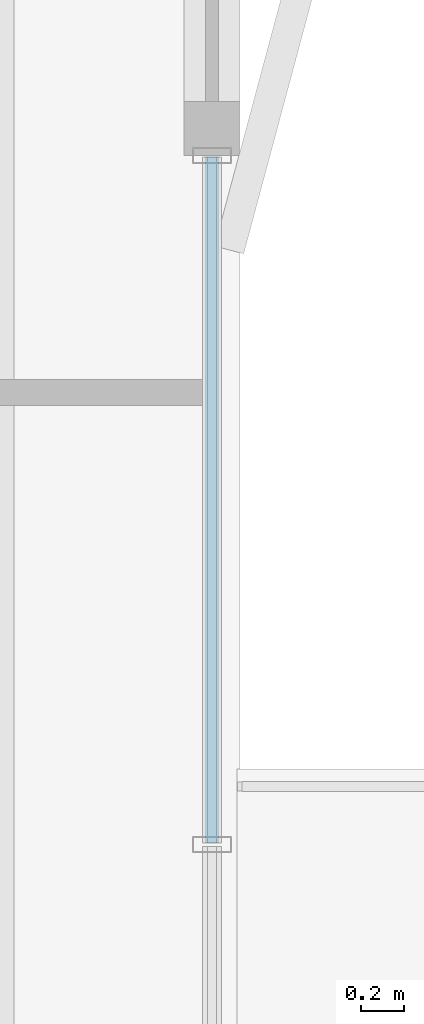
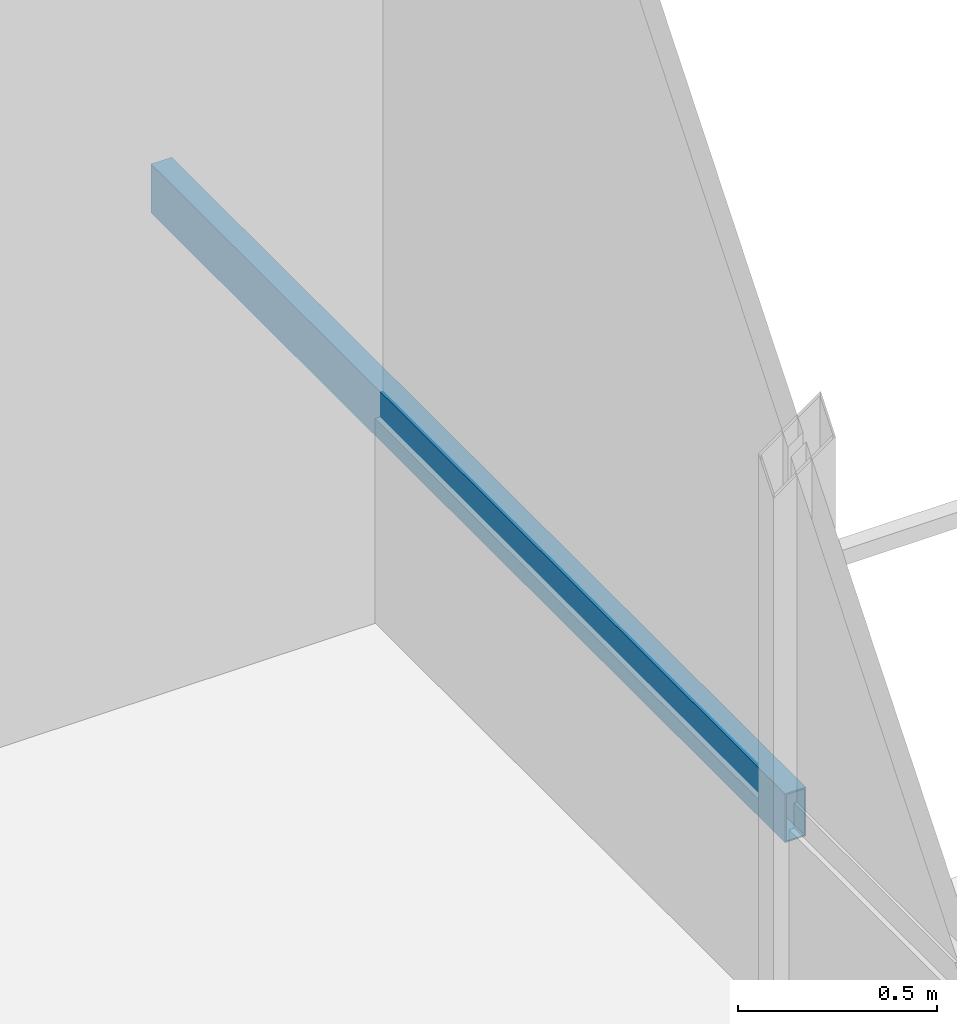
# One storey, part 11 of 25: 1 member, 1 element without a shape of its own.
"""IFC4 building model written with IfcOpenShell, lengths in metres."""

from ifc_helpers import new_model, si_unit, direction, frame, origin, origin_2d, place, context, subcontext, project, spatial, hollow_rectangle, extrude, material, layer, layer_set, material_profile, profile_set, type_object, element, aggregate, save


model = new_model("IFC4")

# Units and contexts
model_context = context("Model", 3, precision=1e-05, world=origin(), true_north=direction((0.0, 1.0)))
body_context = subcontext(model_context, "Body", "Model", "MODEL_VIEW")
ifc_project = project(units=[si_unit("LENGTHUNIT", "METRE"), si_unit("AREAUNIT", "SQUARE_METRE"), si_unit("VOLUMEUNIT", "CUBIC_METRE"), si_unit("PLANEANGLEUNIT", "RADIAN"), si_unit("MASSUNIT", "GRAM", prefix="KILO")], contexts=[model_context])

# Site, building, storey
site_placement = place(None, origin())
site = spatial("IfcSite", under=ifc_project, at=site_placement, CompositionType="ELEMENT")
building_placement = place(site_placement, origin())
building = spatial("IfcBuilding", under=site, at=building_placement, Name="Belovzor Exchange Tower", CompositionType="ELEMENT")
storey_placement = place(building_placement, frame((0.0, 0.0, 149.550048828125)))
storey = spatial("IfcBuildingStorey", under=building, at=storey_placement, Name="L36", CompositionType="ELEMENT", Elevation=149.550048828125)

# Curtain wall, member
ifc_material_1 = material(Name="Anodised Aluminium Framing", Category="aluminium")
ifc_layer = layer(ifc_material_1, 0.179931640625)
ifc_layer_set = layer_set([ifc_layer], Name="Anodised Aluminium Framing")
curtain_wall_type = type_object("IfcCurtainWallType", Name="Recessed Loggia Low-Iron Triple-Glazed Curtain Wall", PredefinedType="NOTDEFINED", material=ifc_layer_set)
curtain_wall_placement = place(storey_placement, origin())
curtain_wall = element("IfcCurtainWall", 1, at=curtain_wall_placement, inside=storey, type_object=curtain_wall_type, Name="CW3 Recessed Loggia Low-Iron Triple-Glazed Curtain Wall L36", PredefinedType="NOTDEFINED")
ifc_material_2 = material(Name="Steel S355", Category="steel")
ifc_material_profile = material_profile(ifc_material_2, hollow_rectangle(XDim=0.06005859375, YDim=0.14990234375, WallThickness=0.00390625, at=origin_2d()))
ifc_profile_set = profile_set([ifc_material_profile], Name="Steel S355")
member_type = type_object("IfcMemberType", Name="Thermally Broken Curtain Wall Transom 150x60", PredefinedType="USERDEFINED", material=ifc_profile_set)
member_placement = place(storey_placement, frame((52.969970703125, 33.592041015625, 0.62890625), z_axis=(0.0, -1.0, 0.0), x_axis=(1.0, 0.0, 0.0)))
member = element("IfcMember", 2, at=member_placement, type_object=member_type, Name="CW-T150 Curtain Wall Transom 1", ObjectType="TRANSOM", PredefinedType="USERDEFINED", context=body_context, shape_type="SweptSolid", body=[
    extrude(hollow_rectangle(XDim=0.06005859375, YDim=0.14990234375, WallThickness=0.00390625, at=origin_2d()), origin(), (0.0, 0.0, 1.0), 3.18408203125),
])
aggregate(curtain_wall, [member])

save(model, "model.ifc")
